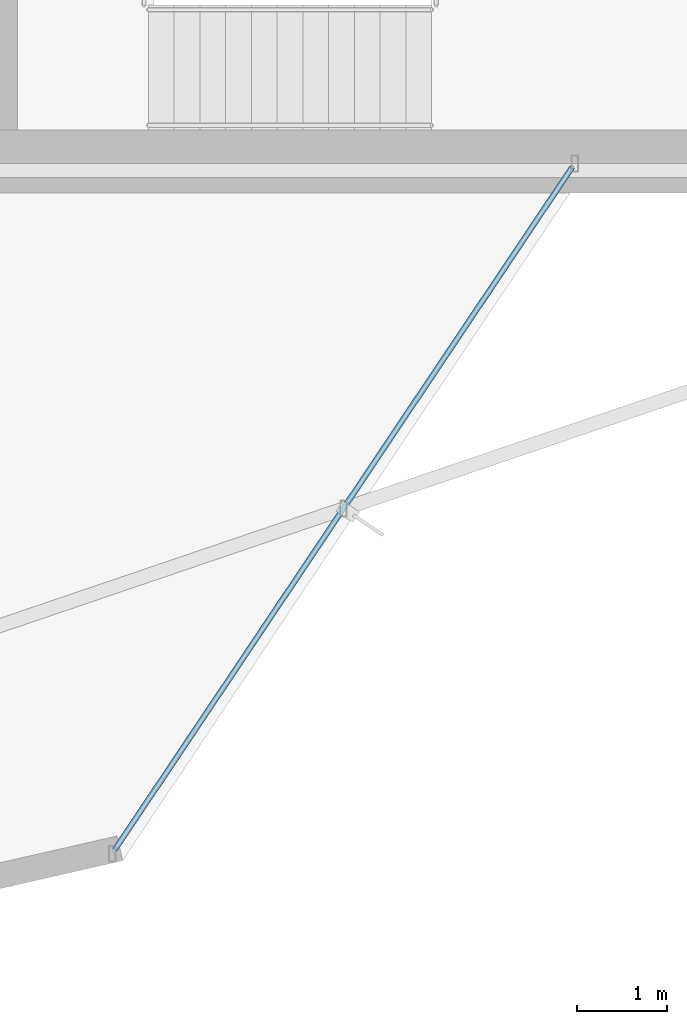
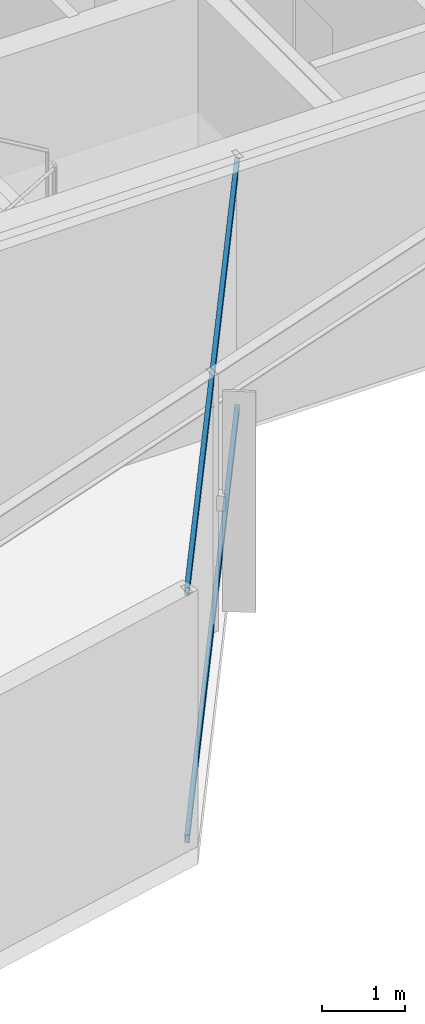
# One storey, part 7 of 21: 2 members, 1 element without a shape of its own.
"""IFC4 building model written with IfcOpenShell, lengths in metres."""

from ifc_helpers import new_model, si_unit, direction, frame, origin, origin_2d, place, context, subcontext, project, spatial, hollow_rectangle, extrude, material, layer, layer_set, material_profile, profile_set, type_object, element, aggregate, save


model = new_model("IFC4")

# Units and contexts
model_context = context("Model", 3, precision=1e-05, world=origin(), true_north=direction((0.0, 1.0)))
body_context = subcontext(model_context, "Body", "Model", "MODEL_VIEW")
ifc_project = project(units=[si_unit("LENGTHUNIT", "METRE"), si_unit("AREAUNIT", "SQUARE_METRE"), si_unit("VOLUMEUNIT", "CUBIC_METRE"), si_unit("PLANEANGLEUNIT", "RADIAN"), si_unit("MASSUNIT", "GRAM", prefix="KILO")], contexts=[model_context])

# Site, building, storey
site_placement = place(None, origin())
site = spatial("IfcSite", under=ifc_project, at=site_placement, CompositionType="ELEMENT")
building_placement = place(site_placement, origin())
building = spatial("IfcBuilding", under=site, at=building_placement, Name="Veymaron Broadcast Tower", CompositionType="ELEMENT")
storey_placement = place(building_placement, frame((0.0, 0.0, 212.10009765625)))
storey = spatial("IfcBuildingStorey", under=building, at=storey_placement, Name="L49", CompositionType="ELEMENT", Elevation=212.10009765625)

# Curtain wall, members
ifc_material_1 = material(Name="Anodised aluminium AA 6063-T6 and laminated low-E dark glass", Category="aluminium")
ifc_layer = layer(ifc_material_1, 0.179931640625)
ifc_layer_set = layer_set([ifc_layer], Name="Anodised aluminium AA 6063-T6 and laminated low-E dark glass")
curtain_wall_type = type_object("IfcCurtainWallType", Name="CW-SYS-05", PredefinedType="NOTDEFINED", material=ifc_layer_set)
curtain_wall_placement = place(storey_placement, origin())
curtain_wall = element("IfcCurtainWall", 1, at=curtain_wall_placement, inside=storey, type_object=curtain_wall_type, Name="L49 dark-glass curtain wall CW-L49-E20-1", PredefinedType="NOTDEFINED")
ifc_material_2 = material(Name="Anodised aluminium AA 6063-T6", Category="aluminium")
ifc_material_profile = material_profile(ifc_material_2, hollow_rectangle(XDim=0.06005859375, YDim=0.1201171875, WallThickness=0.00390625, at=origin_2d()), Name="AL120X60X4")
ifc_profile_set = profile_set([ifc_material_profile], Name="Anodised aluminium AA 6063-T6")
member_type = type_object("IfcMemberType", Name="CW-TRN-02", PredefinedType="USERDEFINED", material=ifc_profile_set)
member_1_placement = place(storey_placement, frame((41.055908203125, 8.4794921875, 0.06982421875), z_axis=(0.556680529668, 0.83072666256, 0.0), x_axis=(-0.83072666256, 0.556680529668, 0.0)))
member_1 = element("IfcMember", 2, at=member_1_placement, type_object=member_type, Name="CW-L49-E20-1 transom B", ObjectType="TRANSOM", PredefinedType="USERDEFINED", context=body_context, shape_type="SweptSolid", body=[
    extrude(hollow_rectangle(XDim=0.06005859375, YDim=0.1201171875, WallThickness=0.00390625, at=origin_2d()), origin(), (0.0, 0.0, 1.0), 9.0966796875),
])
member_2_placement = place(storey_placement, frame((41.055908203125, 8.4794921875, 3.719970703125), z_axis=(0.556680529668, 0.83072666256, 0.0), x_axis=(-0.83072666256, 0.556680529668, 0.0)))
member_2 = element("IfcMember", 3, at=member_2_placement, type_object=member_type, Name="CW-L49-E20-1 transom T", ObjectType="TRANSOM", PredefinedType="USERDEFINED", context=body_context, shape_type="SweptSolid", body=[
    extrude(hollow_rectangle(XDim=0.06005859375, YDim=0.1201171875, WallThickness=0.00390625, at=origin_2d()), origin(), (0.0, 0.0, 1.0), 9.0966796875),
])
aggregate(curtain_wall, [member_1, member_2])

save(model, "model.ifc")
